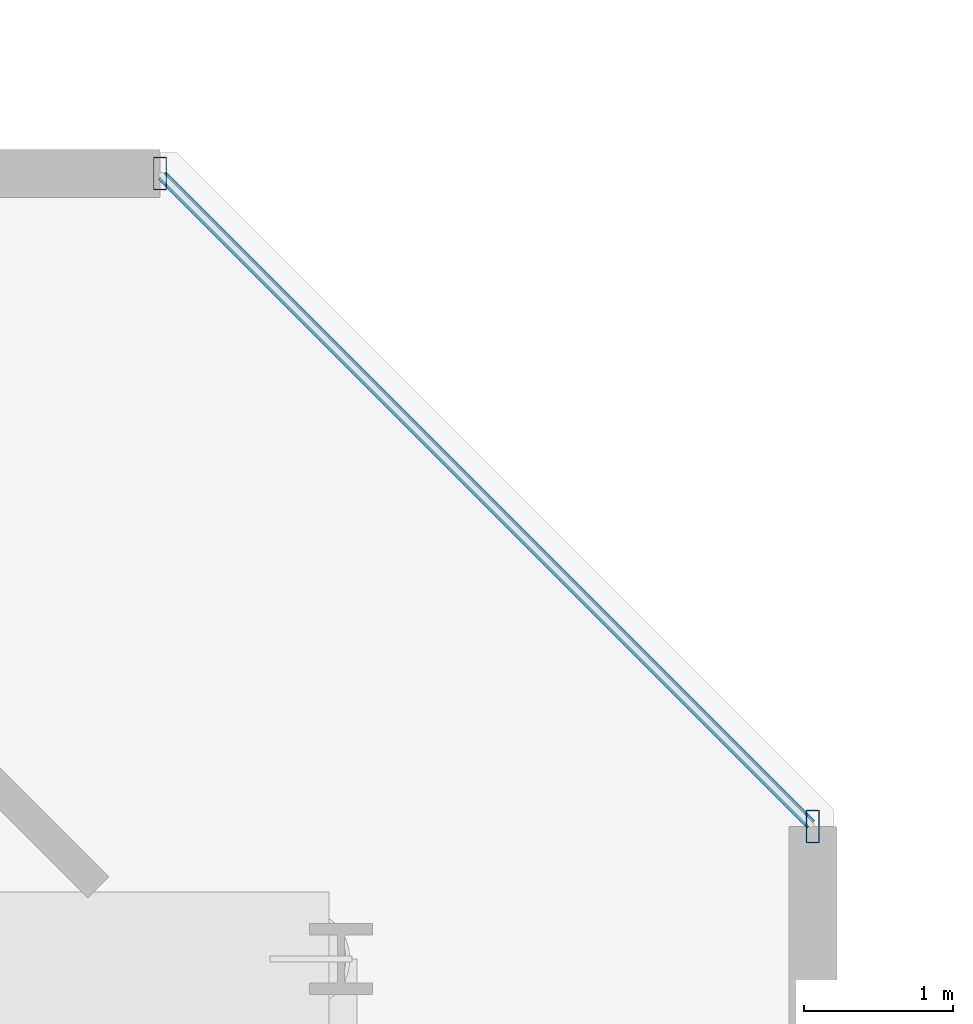
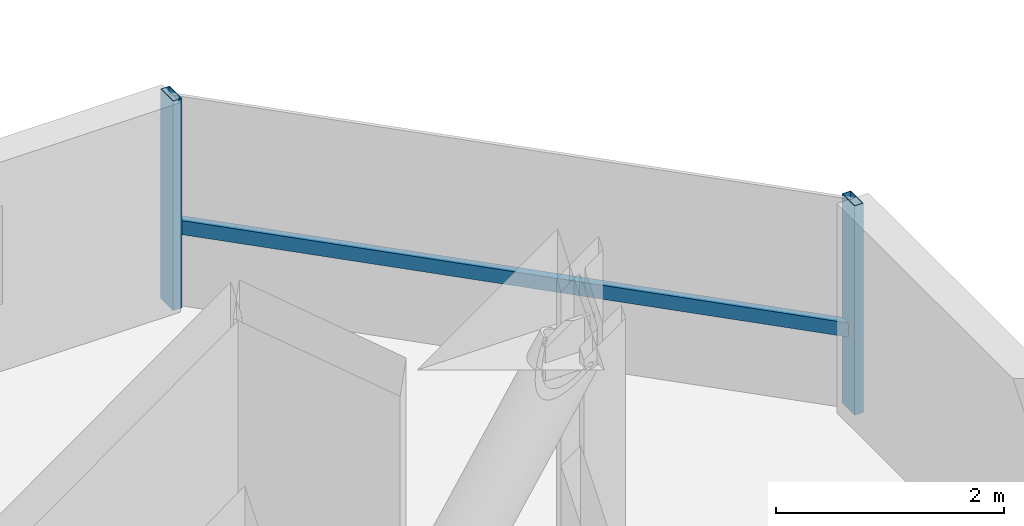
# One storey, part 15 of 38: 3 members, 1 element without a shape of its own.
"""IFC4 building model written with IfcOpenShell, lengths in metres."""

import ifcopenshell
import ifcopenshell.guid

model = None  # the IFC model being written
_history = None  # IfcOwnerHistory: only IFC2X3 demands one
_inside = {}  # id of a spatial element -> (the spatial element, [elements in it])
_under = {}  # id of a project, library or spatial element -> (it, [spatial elements below it])
_declared = {}  # id of a project -> (the project, [libraries it declares])
_typed = {}  # id of a type object -> (the type object, [elements of that type])
_made_of = {}  # id of a material, layer set ... -> (it, [elements and type objects made of it])


def new_model(schema):
    """Start an empty IFC model of exactly this schema.

    Asked for "IFC4X3", IfcOpenShell would pick the latest addendum, in which some entities
    have other attributes; the version numbers below select the first issue.
    IFC2X3 requires an IfcOwnerHistory on every rooted entity: one is made here for all.
    """
    global model, _history
    if schema == "IFC4X3":
        model = ifcopenshell.file(schema_version=(4, 3, 0, 0))
    else:
        model = ifcopenshell.file(schema=schema)
    _inside.clear()
    _under.clear()
    _declared.clear()
    _typed.clear()
    _made_of.clear()
    _history = None
    if model.schema == "IFC2X3":
        org = make("IfcOrganization", Name="unknown")
        user = make(
            "IfcPersonAndOrganization",
            ThePerson=make("IfcPerson", FamilyName="unknown"),
            TheOrganization=org,
        )
        app = make(
            "IfcApplication",
            ApplicationDeveloper=org,
            Version="unknown",
            ApplicationFullName="unknown",
            ApplicationIdentifier="unknown",
        )
        _history = make(
            "IfcOwnerHistory",
            OwningUser=user,
            OwningApplication=app,
            ChangeAction="ADDED",
            CreationDate=0,
        )
    return model


def make(cls, **values):
    """One entity of the class cls with the attributes given. An attribute that is None is left unset."""
    return model.create_entity(
        cls, **{name: value for name, value in values.items() if value is not None}
    )


def rooted(cls, **values):
    """An entity with a GlobalId (a new one), such as an element, a storey or a relation."""
    return make(cls, GlobalId=ifcopenshell.guid.new(), OwnerHistory=_history, **values)


def si_unit(unit_type, name, prefix=None):
    """IfcSIUnit, for example si_unit("LENGTHUNIT", "METRE", prefix="MILLI")."""
    return make("IfcSIUnit", UnitType=unit_type, Prefix=prefix, Name=name)


def assignment(units):
    """IfcUnitAssignment: the units of a project."""
    return None if units is None else make("IfcUnitAssignment", Units=units)


def point(xyz):
    """IfcCartesianPoint."""
    return None if xyz is None else make("IfcCartesianPoint", Coordinates=xyz)


def direction(xyz):
    """IfcDirection."""
    return None if xyz is None else make("IfcDirection", DirectionRatios=xyz)


def frame(location, z_axis=None, x_axis=None):
    """IfcAxis2Placement3D, a coordinate frame: its origin and axes. An axis left out is left unset."""
    return make(
        "IfcAxis2Placement3D",
        Location=point(location),
        Axis=direction(z_axis),
        RefDirection=direction(x_axis),
    )


def frame_2d(location, x_axis=None):
    """IfcAxis2Placement2D, a coordinate frame in the plane: its origin and x axis."""
    return make(
        "IfcAxis2Placement2D", Location=point(location), RefDirection=direction(x_axis)
    )


def origin():
    """The frame at (0, 0, 0) with its axes left unset."""
    return frame((0.0, 0.0, 0.0))


def origin_2d():
    """The frame at (0, 0) in the plane with its x axis left unset."""
    return frame_2d((0.0, 0.0))


def place(relative_to, where):
    """IfcLocalPlacement: puts the frame where relative to a parent placement (None: the world)."""
    return make(
        "IfcLocalPlacement", PlacementRelTo=relative_to, RelativePlacement=where
    )


def context(
    kind, dimensions, precision=None, world=None, true_north=None, identifier=None
):
    """IfcGeometricRepresentationContext, for example the 3D "Model" context."""
    return make(
        "IfcGeometricRepresentationContext",
        ContextIdentifier=identifier,
        ContextType=kind,
        CoordinateSpaceDimension=dimensions,
        Precision=precision,
        WorldCoordinateSystem=world,
        TrueNorth=true_north,
    )


def subcontext(parent, identifier, kind, view, scale=None):
    """IfcGeometricRepresentationSubContext, for example "Body" below "Model"."""
    return make(
        "IfcGeometricRepresentationSubContext",
        ContextIdentifier=identifier,
        ContextType=kind,
        ParentContext=parent,
        TargetScale=scale,
        TargetView=view,
    )


def project(units=None, contexts=None):
    """IfcProject with its units and contexts."""
    return rooted(
        "IfcProject",
        Name="project",
        RepresentationContexts=contexts,
        UnitsInContext=assignment(units),
    )


def spatial(cls, under=None, at=None, **own):
    """A site, building, storey or space (cls), placed at a placement, below another one or the project."""
    s = rooted(cls, ObjectPlacement=at, **own)
    if under is not None:
        _under.setdefault(under.id(), (under, []))[1].append(s)
    return s


def profile(cls, at=None, kind="AREA", **sizes):
    """A parametric profile (cls). Its sizes go by their IFC names, for example OverallWidth=200.0."""
    return make(cls, ProfileType=kind, Position=at, **sizes)


def hollow_rectangle(**sizes):
    """IfcRectangleHollowProfileDef."""
    return profile("IfcRectangleHollowProfileDef", **sizes)


def extrude(swept, where, along, depth):
    """IfcExtrudedAreaSolid: the profile swept, set in the frame where, extruded along a direction by depth."""
    return make(
        "IfcExtrudedAreaSolid",
        SweptArea=swept,
        Position=where,
        ExtrudedDirection=direction(along),
        Depth=depth,
    )


def shape(context_of_items, identifier, shape_type, items):
    """IfcShapeRepresentation: the items that make up one representation, for example the "Body"."""
    return make(
        "IfcShapeRepresentation",
        ContextOfItems=context_of_items,
        RepresentationIdentifier=identifier,
        RepresentationType=shape_type,
        Items=items,
    )


def material(Name=None, Category=None):
    """IfcMaterial."""
    return make("IfcMaterial", Name=Name, Category=Category)


def material_profile(
    of_material, cross_section, Name=None, Category=None, Priority=None
):
    """IfcMaterialProfile: a cross section and its material."""
    return make(
        "IfcMaterialProfile",
        Name=Name,
        Material=of_material,
        Profile=cross_section,
        Priority=Priority,
        Category=Category,
    )


def profile_set(profiles, Name=None, composite=None):
    """IfcMaterialProfileSet."""
    return make(
        "IfcMaterialProfileSet",
        Name=Name,
        MaterialProfiles=profiles,
        CompositeProfile=composite,
    )


def made_of(thing, what):
    """Note that an element or type object is made of a material, layer set ...; save() writes the relation."""
    if what is not None:
        _made_of.setdefault(what.id(), (what, []))[1].append(thing)
    return thing


def type_object(cls, material=None, **own):
    """A type object (cls), such as IfcWallType, which elements share."""
    return made_of(rooted(cls, **own), material)


def element(
    cls,
    number,
    at=None,
    inside=None,
    cuts=None,
    type_object=None,
    material=None,
    context=None,
    identifier="Body",
    shape_type=None,
    held_by="IfcProductDefinitionShape",
    body=None,
    shapes=None,
    **own,
):
    """One element of the class cls, such as IfcWall. Its Tag is "e" and its number.

    at: its placement. inside: the storey or other place that contains it. cuts: it is an
    opening in that element (IfcRelVoidsElement). A single representation is given by context,
    identifier, shape_type and body (its items); several are given by shapes. held_by: the class
    of the entity that holds the representations. save() writes the other relations.
    """
    e = rooted(cls, Tag="e%d" % number, ObjectPlacement=at, **own)
    if body is not None:
        shapes = [shape(context, identifier, shape_type, body)]
    if shapes is not None:
        e.Representation = make(held_by, Representations=shapes)
    if inside is not None:
        _inside.setdefault(inside.id(), (inside, []))[1].append(e)
    if cuts is not None:
        rooted(
            "IfcRelVoidsElement", RelatingBuildingElement=cuts, RelatedOpeningElement=e
        )
    if type_object is not None:
        _typed.setdefault(type_object.id(), (type_object, []))[1].append(e)
    return made_of(e, material)


def aggregate(whole, parts):
    """IfcRelAggregates: a whole, such as a stair, and the parts it consists of."""
    return rooted("IfcRelAggregates", RelatingObject=whole, RelatedObjects=parts)


def save(model, path):
    """Write the relations noted so far, then the file.

    IfcRelAggregates (storeys below a building ...), IfcRelContainedInSpatialStructure (elements
    in a storey), IfcRelDefinesByType, IfcRelAssociatesMaterial and IfcRelDeclares: one each for
    every whole, place, type object, material and project.
    """
    for whole, parts in _under.values():
        aggregate(whole, parts)
    for where, things in _inside.values():
        rooted(
            "IfcRelContainedInSpatialStructure",
            RelatedElements=things,
            RelatingStructure=where,
        )
    for kind, things in _typed.values():
        rooted("IfcRelDefinesByType", RelatedObjects=things, RelatingType=kind)
    for what, things in _made_of.values():
        rooted("IfcRelAssociatesMaterial", RelatedObjects=things, RelatingMaterial=what)
    for by, libraries in _declared.values():
        rooted("IfcRelDeclares", RelatingContext=by, RelatedDefinitions=libraries)
    model.write(path)


model = new_model("IFC4")

# Units and contexts
model_context = context("Model", 3, precision=1e-05, world=origin(), true_north=direction((0.0, 1.0)))
body_context = subcontext(model_context, "Body", "Model", "MODEL_VIEW")
ifc_project = project(units=[si_unit("LENGTHUNIT", "METRE"), si_unit("AREAUNIT", "SQUARE_METRE"), si_unit("VOLUMEUNIT", "CUBIC_METRE"), si_unit("PLANEANGLEUNIT", "RADIAN"), si_unit("MASSUNIT", "GRAM", prefix="KILO")], contexts=[model_context])

# Site, building, storey
site_placement = place(None, origin())
site = spatial("IfcSite", under=ifc_project, at=site_placement, CompositionType="ELEMENT")
building_placement = place(site_placement, origin())
building = spatial("IfcBuilding", under=site, at=building_placement, Name="Thornwick Lancets Civic Towers", CompositionType="ELEMENT")
storey_placement = place(building_placement, frame((0.0, 0.0, 71.699951171875)))
storey = spatial("IfcBuildingStorey", under=building, at=storey_placement, Name="L18", CompositionType="ELEMENT", Elevation=71.699951171875)

# Curtain wall, members
ifc_material_1 = material(Name="Low-zone chamfered-corner unitised glass curtain wall", Category="glass")
curtain_wall_type = type_object("IfcCurtainWallType", Name="CW_SYS_03", PredefinedType="NOTDEFINED", material=ifc_material_1)
curtain_wall_placement = place(storey_placement, origin())
curtain_wall = element("IfcCurtainWall", 1, at=curtain_wall_placement, inside=storey, type_object=curtain_wall_type, Name="L18 Curtain Wall CW-L18-A-E3", PredefinedType="NOTDEFINED")
ifc_material_2 = material(Name="Thermally broken bronze aluminium S355", Category="steel")
ifc_material_profile_1 = material_profile(ifc_material_2, hollow_rectangle(XDim=0.090087890625, YDim=0.219970703125, WallThickness=0.00634765625, at=origin_2d()), Name="RHS 220x90x6.3")
ifc_profile_set_1 = profile_set([ifc_material_profile_1], Name="Thermally broken bronze aluminium S355")
member_type_1 = type_object("IfcMemberType", Name="CW_MUL_220", PredefinedType="MULLION", material=ifc_profile_set_1)
member_1_placement = place(storey_placement, frame((49.759033203125, 40.887939453125, 0.0), z_axis=(0.0, 0.0, 1.0), x_axis=(1.0, 0.0, 0.0)))
member_1 = element("IfcMember", 2, at=member_1_placement, type_object=member_type_1, Name="CW-L18-A-E3 Mullion 0", PredefinedType="MULLION", context=body_context, shape_type="SweptSolid", body=[
    extrude(hollow_rectangle(XDim=0.090087890625, YDim=0.219970703125, WallThickness=0.00634765625, at=origin_2d()), origin(), (0.0, 0.0, 1.0), 2.239990234375),
])
member_2_placement = place(storey_placement, frame((45.387939453125, 45.259033203125, 0.0), z_axis=(0.0, 0.0, 1.0), x_axis=(1.0, 0.0, 0.0)))
member_2 = element("IfcMember", 3, at=member_2_placement, type_object=member_type_1, Name="CW-L18-A-E3 Mullion 1", PredefinedType="MULLION", context=body_context, shape_type="SweptSolid", body=[
    extrude(hollow_rectangle(XDim=0.090087890625, YDim=0.219970703125, WallThickness=0.00634765625, at=origin_2d()), origin(), (0.0, 0.0, 1.0), 2.239990234375),
])
ifc_material_profile_2 = material_profile(ifc_material_2, hollow_rectangle(XDim=0.074951171875, YDim=0.14990234375, WallThickness=0.0048828125, at=origin_2d()), Name="RHS 150x75x5")
ifc_profile_set_2 = profile_set([ifc_material_profile_2], Name="Thermally broken bronze aluminium S355")
member_type_2 = type_object("IfcMemberType", Name="CW_TRN_150", PredefinedType="USERDEFINED", material=ifc_profile_set_2)
member_3_placement = place(storey_placement, frame((49.7451171875, 40.902099609375, 0.85009765625), z_axis=(-0.707106781187, 0.707106781187, 0.0), x_axis=(-0.707106781187, -0.707106781187, 0.0)))
member_3 = element("IfcMember", 4, at=member_3_placement, type_object=member_type_2, Name="CW-L18-A-E3 Transom 0", ObjectType="TRANSOM", PredefinedType="USERDEFINED", context=body_context, shape_type="SweptSolid", body=[
    extrude(hollow_rectangle(XDim=0.074951171875, YDim=0.14990234375, WallThickness=0.0048828125, at=origin_2d()), origin(), (0.0, 0.0, 1.0), 6.141845703125),
])
aggregate(curtain_wall, [member_1, member_2, member_3])

save(model, "model.ifc")
